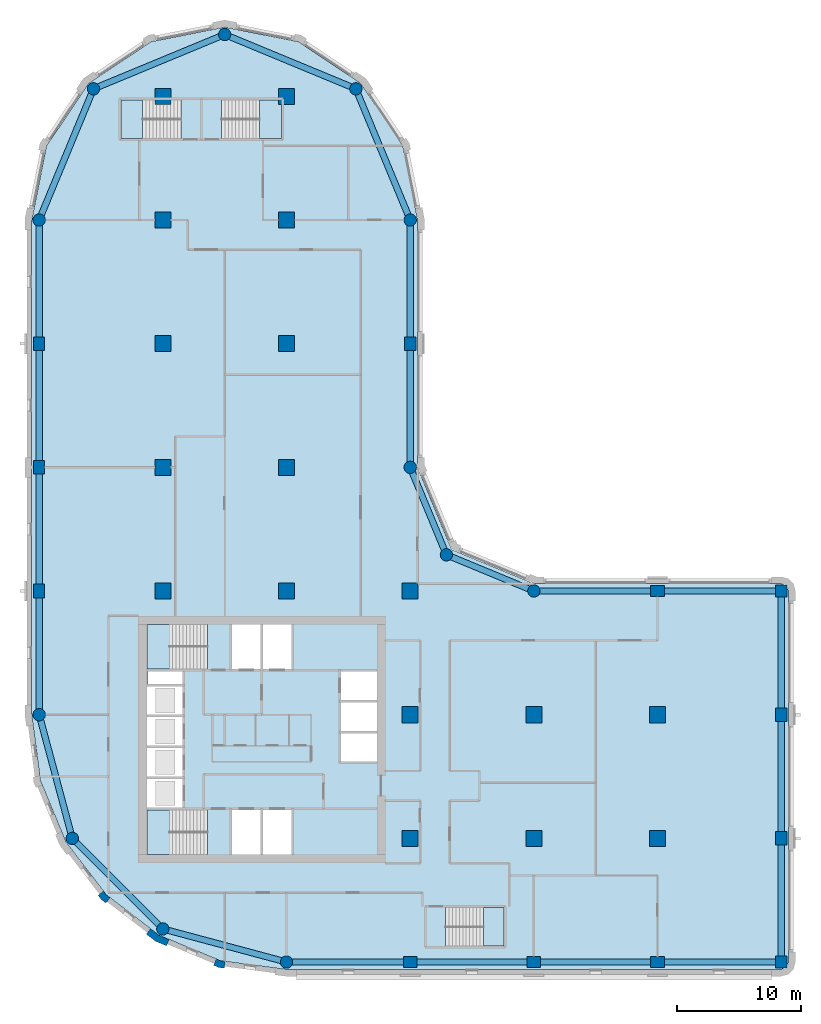
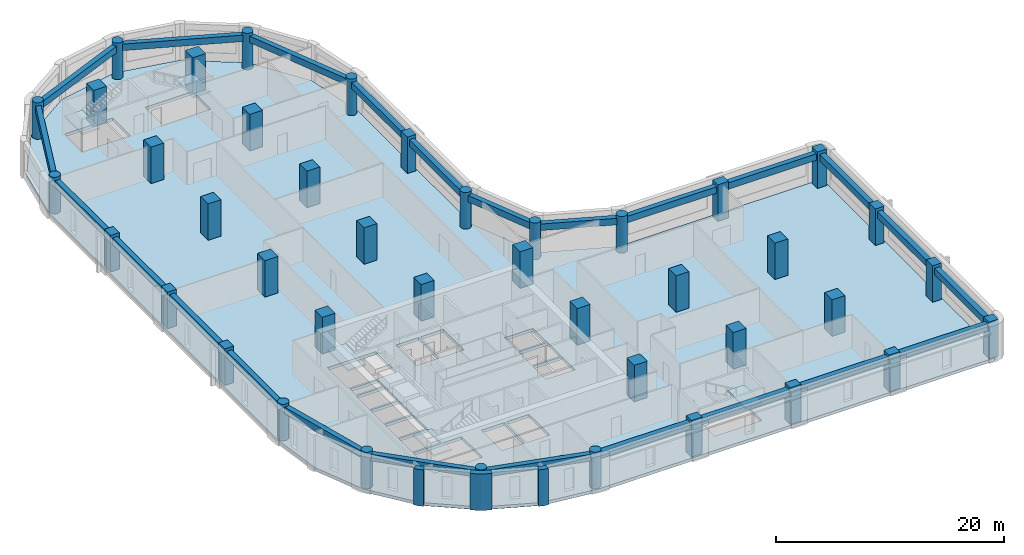
# One storey, part 1 of 9: 41 columns, 24 beams, 6 slabs, 3 walls, 5 elements without a shape of their own.
"""IFC4 building model written with IfcOpenShell, lengths in metres."""

from ifc_helpers import new_model, si_unit, direction, frame, origin, origin_2d, place, context, subcontext, project, spatial, polyline, rectangle, circle, outline, extrude, material, layer, layer_set, material_profile, profile_set, type_object, element, aggregate, save


model = new_model("IFC4")

# Units and contexts
model_context = context("Model", 3, precision=1e-05, world=origin(), true_north=direction((0.0, 1.0)))
body_context = subcontext(model_context, "Body", "Model", "MODEL_VIEW")
ifc_project = project(units=[si_unit("LENGTHUNIT", "METRE"), si_unit("AREAUNIT", "SQUARE_METRE"), si_unit("VOLUMEUNIT", "CUBIC_METRE"), si_unit("PLANEANGLEUNIT", "RADIAN"), si_unit("MASSUNIT", "GRAM", prefix="KILO")], contexts=[model_context])

# Site, building, storey
site_placement = place(None, origin())
site = spatial("IfcSite", under=ifc_project, at=site_placement, CompositionType="ELEMENT")
building_placement = place(site_placement, origin())
building = spatial("IfcBuilding", under=site, at=building_placement, Name="Qaws Garden Tower", CompositionType="ELEMENT")
storey_placement = place(building_placement, frame((0.0, 0.0, 135.60009765625)))
storey = spatial("IfcBuildingStorey", under=building, at=storey_placement, Name="L32", CompositionType="ELEMENT", Elevation=135.60009765625)

# Columns
ifc_material_1 = material(Name="Concrete C70", Category="concrete")
ifc_material_profile_1 = material_profile(ifc_material_1, rectangle(XDim=1.10009765625, YDim=0.89990234375, at=origin_2d()), Name="RC 1100x900")
ifc_profile_set_1 = profile_set([ifc_material_profile_1], Name="Concrete C70")
column_type_1 = type_object("IfcColumnType", Name="Column RC 1100x900 C70", PredefinedType="COLUMN", material=ifc_profile_set_1)
for number, where, z_axis, x_axis, name in (
    (1, (30.0, 0.0, 0.0), (0.0, 0.0, 1.0), (1.0, 0.0, 0.0), "Column L32-002"),
    (2, (40.0, 0.0, 0.0), (0.0, 0.0, 1.0), (1.0, 0.0, 0.0), "Column L32-003"),
    (3, (50.0, 0.0, 0.0), (0.0, 0.0, 1.0), (1.0, 0.0, 0.0), "Column L32-004"),
    (4, (60.0, 10.0, 0.0), (0.0, 0.0, 1.0), (0.0, 1.0, 0.0), "Column L32-006"),
    (5, (60.0, 20.0, 0.0), (0.0, 0.0, 1.0), (0.0, 1.0, 0.0), "Column L32-007"),
    (6, (50.0, 30.0, 0.0), (0.0, 0.0, 1.0), (1.0, 0.0, 0.0), "Column L32-009"),
    (7, (30.0, 50.0, 0.0), (0.0, 0.0, 1.0), (0.0, 1.0, 0.0), "Column L32-013"),
    (8, (0.0, 50.0, 0.0), (0.0, 0.0, 1.0), (0.0, 1.0, 0.0), "Column L32-019"),
    (9, (0.0, 40.0, 0.0), (0.0, 0.0, 1.0), (0.0, 1.0, 0.0), "Column L32-020"),
    (10, (0.0, 30.0, 0.0), (0.0, 0.0, 1.0), (0.0, 1.0, 0.0), "Column L32-021"),
):
    element("IfcColumn", number, at=place(storey_placement, frame(where, z_axis=z_axis, x_axis=x_axis)), inside=storey, type_object=column_type_1, Name=name, PredefinedType="COLUMN", context=body_context, shape_type="SweptSolid", body=[
        extrude(rectangle(XDim=1.10009765625, YDim=0.89990234375, at=origin_2d()), origin(), (0.0, 0.0, 1.0), 3.89990234375),
    ])
ifc_material_2 = material(Name="Concrete C70", Category="concrete")
ifc_material_profile_2 = material_profile(ifc_material_2, rectangle(XDim=1.300048828125, YDim=1.300048828125, at=origin_2d()), Name="RC 1300x1300")
ifc_profile_set_2 = profile_set([ifc_material_profile_2], Name="Concrete C70")
column_type_2 = type_object("IfcColumnType", Name="Column RC 1300x1300 C70", PredefinedType="COLUMN", material=ifc_profile_set_2)
for number, where, z_axis, x_axis, name in (
    (11, (10.0, 30.0, 0.0), (0.0, 0.0, 1.0), (1.0, 0.0, 0.0), "Column L32-025"),
    (12, (10.0, 40.0, 0.0), (0.0, 0.0, 1.0), (1.0, 0.0, 0.0), "Column L32-026"),
    (13, (10.0, 50.0, 0.0), (0.0, 0.0, 1.0), (1.0, 0.0, 0.0), "Column L32-027"),
    (14, (10.0, 60.0, 0.0), (0.0, 0.0, 1.0), (1.0, 0.0, 0.0), "Column L32-028"),
    (15, (10.0, 70.0, 0.0), (0.0, 0.0, 1.0), (1.0, 0.0, 0.0), "Column L32-029"),
    (16, (20.0, 30.0, 0.0), (0.0, 0.0, 1.0), (1.0, 0.0, 0.0), "Column L32-030"),
    (17, (20.0, 40.0, 0.0), (0.0, 0.0, 1.0), (1.0, 0.0, 0.0), "Column L32-031"),
    (18, (20.0, 50.0, 0.0), (0.0, 0.0, 1.0), (1.0, 0.0, 0.0), "Column L32-032"),
    (19, (20.0, 60.0, 0.0), (0.0, 0.0, 1.0), (1.0, 0.0, 0.0), "Column L32-033"),
    (20, (20.0, 70.0, 0.0), (0.0, 0.0, 1.0), (1.0, 0.0, 0.0), "Column L32-034"),
    (21, (30.0, 10.0, 0.0), (0.0, 0.0, 1.0), (1.0, 0.0, 0.0), "Column L32-035"),
    (22, (30.0, 20.0, 0.0), (0.0, 0.0, 1.0), (1.0, 0.0, 0.0), "Column L32-036"),
    (23, (30.0, 30.0, 0.0), (0.0, 0.0, 1.0), (1.0, 0.0, 0.0), "Column L32-037"),
    (24, (40.0, 10.0, 0.0), (0.0, 0.0, 1.0), (1.0, 0.0, 0.0), "Column L32-038"),
    (25, (40.0, 20.0, 0.0), (0.0, 0.0, 1.0), (1.0, 0.0, 0.0), "Column L32-039"),
    (26, (50.0, 10.0, 0.0), (0.0, 0.0, 1.0), (1.0, 0.0, 0.0), "Column L32-040"),
    (27, (50.0, 20.0, 0.0), (0.0, 0.0, 1.0), (1.0, 0.0, 0.0), "Column L32-041"),
):
    element("IfcColumn", number, at=place(storey_placement, frame(where, z_axis=z_axis, x_axis=x_axis)), inside=storey, type_object=column_type_2, Name=name, PredefinedType="COLUMN", context=body_context, shape_type="SweptSolid", body=[
        extrude(rectangle(XDim=1.300048828125, YDim=1.300048828125, at=origin_2d()), origin(), (0.0, 0.0, 1.0), 3.89990234375),
    ])
ifc_material_3 = material(Name="Concrete C70", Category="concrete")
ifc_material_profile_3 = material_profile(ifc_material_3, rectangle(XDim=0.949951171875, YDim=0.949951171875, at=origin_2d()), Name="RC 950x950")
ifc_profile_set_3 = profile_set([ifc_material_profile_3], Name="Concrete C70")
column_type_3 = type_object("IfcColumnType", Name="Column RC 950x950 C70", PredefinedType="COLUMN", material=ifc_profile_set_3)
for number, where, z_axis, x_axis, name in (
    (28, (60.0, 0.0, 0.0), (0.0, 0.0, 1.0), (1.0, 0.0, 0.0), "Column L32-005"),
    (29, (60.0, 30.0, 0.0), (0.0, 0.0, 1.0), (1.0, 0.0, 0.0), "Column L32-008"),
):
    element("IfcColumn", number, at=place(storey_placement, frame(where, z_axis=z_axis, x_axis=x_axis)), inside=storey, type_object=column_type_3, Name=name, PredefinedType="COLUMN", context=body_context, shape_type="SweptSolid", body=[
        extrude(rectangle(XDim=0.949951171875, YDim=0.949951171875, at=origin_2d()), origin(), (0.0, 0.0, 1.0), 3.89990234375),
    ])
ifc_material_4 = material(Name="Concrete C70", Category="concrete")
ifc_material_profile_4 = material_profile(ifc_material_4, circle(Radius=0.5, at=origin_2d()), Name="RC D1000")
ifc_profile_set_4 = profile_set([ifc_material_profile_4], Name="Concrete C70")
column_type_4 = type_object("IfcColumnType", Name="Column RC D1000 C70", PredefinedType="COLUMN", material=ifc_profile_set_4)
for number, where, z_axis, x_axis, name in (
    (30, (20.0, 0.0, 0.0), (0.0, 0.0, 1.0), (1.0, 0.0, 0.0), "Column L32-001"),
    (31, (40.0, 30.0, 0.0), (0.0, 0.0, 1.0), (1.0, 0.0, 0.0), "Column L32-010"),
    (32, (32.928955078125, 32.928955078125, 0.0), (0.0, 0.0, 1.0), (1.0, 0.0, 0.0), "Column L32-011"),
    (33, (30.0, 40.0, 0.0), (0.0, 0.0, 1.0), (1.0, 0.0, 0.0), "Column L32-012"),
    (34, (30.0, 60.0, 0.0), (0.0, 0.0, 1.0), (1.0, 0.0, 0.0), "Column L32-014"),
    (35, (25.606689453125, 70.606689453125, 0.0), (0.0, 0.0, 1.0), (1.0, 0.0, 0.0), "Column L32-015"),
    (36, (15.0, 75.0, 0.0), (0.0, 0.0, 1.0), (1.0, 0.0, 0.0), "Column L32-016"),
    (37, (4.393310546875, 70.606689453125, 0.0), (0.0, 0.0, 1.0), (1.0, 0.0, 0.0), "Column L32-017"),
    (38, (0.0, 60.0, 0.0), (0.0, 0.0, 1.0), (1.0, 0.0, 0.0), "Column L32-018"),
    (39, (0.0, 20.0, 0.0), (0.0, 0.0, 1.0), (1.0, 0.0, 0.0), "Column L32-022"),
    (40, (2.679443359375, 10.0, 0.0), (0.0, 0.0, 1.0), (1.0, 0.0, 0.0), "Column L32-023"),
    (41, (10.0, 2.679443359375, 0.0), (0.0, 0.0, 1.0), (1.0, 0.0, 0.0), "Column L32-024"),
):
    element("IfcColumn", number, at=place(storey_placement, frame(where, z_axis=z_axis, x_axis=x_axis)), inside=storey, type_object=column_type_4, Name=name, PredefinedType="COLUMN", context=body_context, shape_type="SweptSolid", body=[
        extrude(circle(Radius=0.5, at=origin_2d()), origin(), (0.0, 0.0, 1.0), 3.89990234375),
    ])

# Beams
ifc_material_5 = material(Name="Concrete C45", Category="concrete")
ifc_material_profile_5 = material_profile(ifc_material_5, rectangle(XDim=0.5, YDim=0.699951171875, at=origin_2d()), Name="RC 500x700")
ifc_profile_set_5 = profile_set([ifc_material_profile_5], Name="Concrete C45")
beam_type = type_object("IfcBeamType", Name="Spandrel beam RC 500x700 C45", PredefinedType="SPANDREL", material=ifc_profile_set_5)
for number, where, z_axis, x_axis, name in (
    (42, (20.0, 0.0, 3.22998046875), (1.0, 0.0, 0.0), (0.0, 1.0, 0.0), "Spandrel beam L32-001"),
    (43, (30.0, 0.0, 3.22998046875), (1.0, 0.0, 0.0), (0.0, 1.0, 0.0), "Spandrel beam L32-002"),
    (44, (40.0, 0.0, 3.22998046875), (1.0, 0.0, 0.0), (0.0, 1.0, 0.0), "Spandrel beam L32-003"),
    (45, (50.0, 0.0, 3.22998046875), (1.0, 0.0, 0.0), (0.0, 1.0, 0.0), "Spandrel beam L32-004"),
    (46, (60.0, 0.0, 3.22998046875), (0.0, 1.0, 0.0), (-1.0, 0.0, 0.0), "Spandrel beam L32-005"),
    (47, (60.0, 10.0, 3.22998046875), (0.0, 1.0, 0.0), (-1.0, 0.0, 0.0), "Spandrel beam L32-006"),
    (48, (60.0, 20.0, 3.22998046875), (0.0, 1.0, 0.0), (-1.0, 0.0, 0.0), "Spandrel beam L32-007"),
    (49, (60.0, 30.0, 3.22998046875), (-1.0, 0.0, 0.0), (0.0, -1.0, 0.0), "Spandrel beam L32-008"),
    (50, (50.0, 30.0, 3.22998046875), (-1.0, 0.0, 0.0), (0.0, -1.0, 0.0), "Spandrel beam L32-009"),
):
    element("IfcBeam", number, at=place(storey_placement, frame(where, z_axis=z_axis, x_axis=x_axis)), inside=storey, type_object=beam_type, Name=name, PredefinedType="SPANDREL", context=body_context, shape_type="SweptSolid", body=[
        extrude(rectangle(XDim=0.5, YDim=0.699951171875, at=origin_2d()), origin(), (0.0, 0.0, 1.0), 10.0),
    ])
for number, where, z_axis, x_axis, name in (
    (51, (40.0, 30.0, 3.22998046875), (-0.923878037141, 0.382687042488, 0.0), (-0.382687042488, -0.923878037141, 0.0), "Spandrel beam L32-010"),
    (52, (32.928955078125, 32.928955078125, 3.22998046875), (-0.382687042488, 0.923878037141, 0.0), (-0.923878037141, -0.382687042488, 0.0), "Spandrel beam L32-011"),
):
    element("IfcBeam", number, at=place(storey_placement, frame(where, z_axis=z_axis, x_axis=x_axis)), inside=storey, type_object=beam_type, Name=name, PredefinedType="SPANDREL", context=body_context, shape_type="SweptSolid", body=[
        extrude(rectangle(XDim=0.5, YDim=0.699951171875, at=origin_2d()), origin(), (0.0, 0.0, 1.0), 7.653564453125),
    ])
for number, where, z_axis, x_axis, name in (
    (53, (30.0, 40.0, 3.22998046875), (0.0, 1.0, 0.0), (-1.0, 0.0, 0.0), "Spandrel beam L32-012"),
    (54, (30.0, 50.0, 3.22998046875), (0.0, 1.0, 0.0), (-1.0, 0.0, 0.0), "Spandrel beam L32-013"),
):
    element("IfcBeam", number, at=place(storey_placement, frame(where, z_axis=z_axis, x_axis=x_axis)), inside=storey, type_object=beam_type, Name=name, PredefinedType="SPANDREL", context=body_context, shape_type="SweptSolid", body=[
        extrude(rectangle(XDim=0.5, YDim=0.699951171875, at=origin_2d()), origin(), (0.0, 0.0, 1.0), 10.0),
    ])
for number, where, z_axis, x_axis, name in (
    (55, (30.0, 60.0, 3.22998046875), (-0.382674207535, 0.923883353507, 0.0), (-0.923883353507, -0.382674207535, 0.0), "Spandrel beam L32-014"),
    (56, (25.606689453125, 70.606689453125, 3.22998046875), (-0.923883353507, 0.382674207535, 0.0), (-0.382674207535, -0.923883353507, 0.0), "Spandrel beam L32-015"),
    (57, (15.0, 75.0, 3.22998046875), (-0.923883353507, -0.382674207535, 0.0), (0.382674207535, -0.923883353507, 0.0), "Spandrel beam L32-016"),
    (58, (4.393310546875, 70.606689453125, 3.22998046875), (-0.382674207535, -0.923883353507, 0.0), (0.923883353507, -0.382674207535, 0.0), "Spandrel beam L32-017"),
):
    element("IfcBeam", number, at=place(storey_placement, frame(where, z_axis=z_axis, x_axis=x_axis)), inside=storey, type_object=beam_type, Name=name, PredefinedType="SPANDREL", context=body_context, shape_type="SweptSolid", body=[
        extrude(rectangle(XDim=0.5, YDim=0.699951171875, at=origin_2d()), origin(), (0.0, 0.0, 1.0), 11.48046875),
    ])
for number, where, z_axis, x_axis, name in (
    (59, (0.0, 60.0, 3.22998046875), (0.0, -1.0, 0.0), (1.0, 0.0, 0.0), "Spandrel beam L32-018"),
    (60, (0.0, 50.0, 3.22998046875), (0.0, -1.0, 0.0), (1.0, 0.0, 0.0), "Spandrel beam L32-019"),
    (61, (0.0, 40.0, 3.22998046875), (0.0, -1.0, 0.0), (1.0, 0.0, 0.0), "Spandrel beam L32-020"),
    (62, (0.0, 30.0, 3.22998046875), (0.0, -1.0, 0.0), (1.0, 0.0, 0.0), "Spandrel beam L32-021"),
):
    element("IfcBeam", number, at=place(storey_placement, frame(where, z_axis=z_axis, x_axis=x_axis)), inside=storey, type_object=beam_type, Name=name, PredefinedType="SPANDREL", context=body_context, shape_type="SweptSolid", body=[
        extrude(rectangle(XDim=0.5, YDim=0.699951171875, at=origin_2d()), origin(), (0.0, 0.0, 1.0), 10.0),
    ])
for number, where, z_axis, x_axis, name in (
    (63, (0.0, 20.0, 3.22998046875), (0.25881466832, -0.965926999034, 0.0), (0.965926999034, 0.25881466832, 0.0), "Spandrel beam L32-022"),
    (64, (2.679443359375, 10.0, 3.22998046875), (0.707106781187, -0.707106781187, 0.0), (0.707106781187, 0.707106781187, 0.0), "Spandrel beam L32-023"),
    (65, (10.0, 2.679443359375, 3.22998046875), (0.965926999034, -0.25881466832, 0.0), (0.25881466832, 0.965926999034, 0.0), "Spandrel beam L32-024"),
):
    element("IfcBeam", number, at=place(storey_placement, frame(where, z_axis=z_axis, x_axis=x_axis)), inside=storey, type_object=beam_type, Name=name, PredefinedType="SPANDREL", context=body_context, shape_type="SweptSolid", body=[
        extrude(rectangle(XDim=0.5, YDim=0.699951171875, at=origin_2d()), origin(), (0.0, 0.0, 1.0), 10.352783203125),
    ])

# Slab
ifc_material_6 = material(Name="Concrete C40", Category="concrete")
ifc_layer_1 = layer(ifc_material_6, 0.320068359375)
ifc_layer_set_1 = layer_set([ifc_layer_1], Name="Concrete C40")
slab_type_1 = type_object("IfcSlabType", Name="Floor slab 320 C40", PredefinedType="FLOOR", material=ifc_layer_set_1)
slab_1_placement = place(storey_placement, frame((0.0, 0.0, -0.320068359375)))
element("IfcSlab", 66, at=slab_1_placement, inside=storey, type_object=slab_type_1, Name="Floor slab L32", PredefinedType="FLOOR", context=body_context, shape_type="SweptSolid", body=[
    extrude(outline(polyline([(0.101806640625, 14.668212890625), (-0.60009765625, 20.0), (-0.60009765625, 30.60009765625), (-0.60009765625, 60.0), (-0.60009765625, 60.0), (0.58740234375, 65.969970703125), (3.968994140625, 71.031005859375), (9.030029296875, 74.41259765625), (15.0, 75.60009765625), (20.969970703125, 74.41259765625), (26.031005859375, 71.031005859375), (29.41259765625, 65.969970703125), (30.60009765625, 60.0), (30.60009765625, 40.0), (33.353271484375, 33.353271484375), (40.0, 30.60009765625), (60.0, 30.60009765625), (60.42431640625, 30.42431640625), (60.60009765625, 30.0), (60.60009765625, 0.0), (60.42431640625, -0.42431640625), (60.0, -0.60009765625), (30.60009765625, -0.60009765625), (20.0, -0.60009765625), (14.668212890625, 0.101806640625), (9.699951171875, 2.159912109375), (5.43359375, 5.43359375), (2.159912109375, 9.699951171875), (0.101806640625, 14.668212890625)]), holes=[polyline([(13.599609375, 12.300048828125), (8.699951171875, 12.300048828125), (8.699951171875, 8.699951171875), (13.599609375, 8.699951171875), (13.599609375, 12.300048828125)]), polyline([(17.89990234375, 12.300048828125), (15.60009765625, 12.300048828125), (15.60009765625, 8.699951171875), (17.89990234375, 8.699951171875), (17.89990234375, 12.300048828125)]), polyline([(11.60009765625, 14.800048828125), (8.699951171875, 14.800048828125), (8.699951171875, 12.5), (11.60009765625, 12.5), (11.60009765625, 14.800048828125)]), polyline([(11.60009765625, 17.300048828125), (8.699951171875, 17.300048828125), (8.699951171875, 15.0), (11.60009765625, 15.0), (11.60009765625, 17.300048828125)]), polyline([(11.60009765625, 19.800048828125), (8.699951171875, 19.800048828125), (8.699951171875, 17.5), (11.60009765625, 17.5), (11.60009765625, 19.800048828125)]), polyline([(11.60009765625, 22.300048828125), (8.699951171875, 22.300048828125), (8.699951171875, 20.0), (11.60009765625, 20.0), (11.60009765625, 22.300048828125)]), polyline([(11.60009765625, 23.5), (8.800048828125, 23.5), (8.800048828125, 22.5), (11.60009765625, 22.5), (11.60009765625, 23.5)]), polyline([(13.599609375, 27.300048828125), (8.699951171875, 27.300048828125), (8.699951171875, 23.699951171875), (13.599609375, 23.699951171875), (13.599609375, 27.300048828125)]), polyline([(11.449462890625, 69.699951171875), (6.60009765625, 69.699951171875), (6.60009765625, 66.60009765625), (11.449462890625, 66.60009765625), (11.449462890625, 69.699951171875)]), polyline([(37.60009765625, 4.39990234375), (32.8505859375, 4.39990234375), (32.8505859375, 1.300048828125), (37.60009765625, 1.300048828125), (37.60009765625, 4.39990234375)]), polyline([(20.39990234375, 12.300048828125), (18.10009765625, 12.300048828125), (18.10009765625, 8.699951171875), (20.39990234375, 8.699951171875), (20.39990234375, 12.300048828125)]), polyline([(27.300048828125, 18.5), (24.39990234375, 18.5), (24.39990234375, 16.199951171875), (27.300048828125, 16.199951171875), (27.300048828125, 18.5)]), polyline([(27.300048828125, 21.0), (24.39990234375, 21.0), (24.39990234375, 18.699951171875), (27.300048828125, 18.699951171875), (27.300048828125, 21.0)]), polyline([(27.300048828125, 23.5), (24.39990234375, 23.5), (24.39990234375, 21.199951171875), (27.300048828125, 21.199951171875), (27.300048828125, 23.5)]), polyline([(17.89990234375, 27.300048828125), (15.60009765625, 27.300048828125), (15.60009765625, 23.699951171875), (17.89990234375, 23.699951171875), (17.89990234375, 27.300048828125)]), polyline([(20.39990234375, 23.699951171875), (20.39990234375, 27.300048828125), (18.10009765625, 27.300048828125), (18.10009765625, 23.699951171875), (20.39990234375, 23.699951171875)]), polyline([(19.60009765625, 66.60009765625), (19.60009765625, 69.699951171875), (14.75048828125, 69.699951171875), (14.75048828125, 66.60009765625), (19.60009765625, 66.60009765625)])]), origin(), (0.0, 0.0, 1.0), 0.320068359375),
])

# Stair, slab
ifc_material_7 = material(Name="Concrete C40", Category="concrete")
stair_type_1 = type_object("IfcStairType", Name="Exit stair 1500", PredefinedType="HALF_TURN_STAIR", material=ifc_material_7)
placement_1 = place(storey_placement, origin())
stair_1 = element("IfcStair", 67, at=placement_1, inside=storey, type_object=stair_type_1, Name="Stair 1", PredefinedType="HALF_TURN_STAIR")
ifc_material_8 = material(Name="Concrete C40", Category="concrete")
ifc_layer_2 = layer(ifc_material_8, 0.199951171875)
ifc_layer_set_2 = layer_set([ifc_layer_2], Name="Concrete C40")
slab_type_2 = type_object("IfcSlabType", Name="Stair landing 200", PredefinedType="LANDING", material=ifc_layer_set_2)
placement_2 = place(storey_placement, frame((0.0, 0.0, 1.75)))
slab_2 = element("IfcSlab", 68, at=placement_2, type_object=slab_type_2, Name="ST1 landing 1", PredefinedType="LANDING", context=body_context, shape_type="SweptSolid", body=[
    extrude(outline(polyline([(8.699951171875, 8.699951171875), (10.52001953125, 8.699951171875), (10.52001953125, 12.300048828125), (8.699951171875, 12.300048828125), (8.699951171875, 8.699951171875)])), origin(), (0.0, 0.0, 1.0), 0.199951171875),
])
aggregate(stair_1, [slab_2])

stair_2 = element("IfcStair", 69, at=placement_1, inside=storey, type_object=stair_type_1, Name="Stair 4", PredefinedType="HALF_TURN_STAIR")
slab_3 = element("IfcSlab", 70, at=placement_2, type_object=slab_type_2, Name="ST4 landing 1", PredefinedType="LANDING", context=body_context, shape_type="SweptSolid", body=[
    extrude(outline(polyline([(8.699951171875, 23.699951171875), (10.52001953125, 23.699951171875), (10.52001953125, 27.300048828125), (8.699951171875, 27.300048828125), (8.699951171875, 23.699951171875)])), origin(), (0.0, 0.0, 1.0), 0.199951171875),
])
aggregate(stair_2, [slab_3])

ifc_material_9 = material(Name="Concrete C40", Category="concrete")
stair_type_2 = type_object("IfcStairType", Name="Exit stair 1350", PredefinedType="HALF_TURN_STAIR", material=ifc_material_9)
stair_3 = element("IfcStair", 71, at=placement_1, inside=storey, type_object=stair_type_2, Name="Stair 5", PredefinedType="HALF_TURN_STAIR")
slab_4 = element("IfcSlab", 72, at=placement_2, type_object=slab_type_2, Name="ST5 landing 1", PredefinedType="LANDING", context=body_context, shape_type="SweptSolid", body=[
    extrude(outline(polyline([(35.929931640625, 1.300048828125), (37.60009765625, 1.300048828125), (37.60009765625, 4.39990234375), (35.929931640625, 4.39990234375), (35.929931640625, 1.300048828125)])), origin(), (0.0, 0.0, 1.0), 0.199951171875),
])
aggregate(stair_3, [slab_4])

stair_4 = element("IfcStair", 73, at=placement_1, inside=storey, type_object=stair_type_2, Name="Stair 6", PredefinedType="HALF_TURN_STAIR")
slab_5 = element("IfcSlab", 74, at=placement_2, type_object=slab_type_2, Name="ST6 landing 1", PredefinedType="LANDING", context=body_context, shape_type="SweptSolid", body=[
    extrude(outline(polyline([(6.60009765625, 66.60009765625), (8.3701171875, 66.60009765625), (8.3701171875, 69.699951171875), (6.60009765625, 69.699951171875), (6.60009765625, 66.60009765625)])), origin(), (0.0, 0.0, 1.0), 0.199951171875),
])
aggregate(stair_4, [slab_5])

stair_5 = element("IfcStair", 75, at=placement_1, inside=storey, type_object=stair_type_2, Name="Stair 7", PredefinedType="HALF_TURN_STAIR")
slab_6 = element("IfcSlab", 76, at=placement_2, type_object=slab_type_2, Name="ST7 landing 1", PredefinedType="LANDING", context=body_context, shape_type="SweptSolid", body=[
    extrude(outline(polyline([(17.830078125, 66.60009765625), (19.60009765625, 66.60009765625), (19.60009765625, 69.699951171875), (17.830078125, 69.699951171875), (17.830078125, 66.60009765625)])), origin(), (0.0, 0.0, 1.0), 0.199951171875),
])
aggregate(stair_5, [slab_6])

# Walls
ifc_material_10 = material(Name="Clay facing brick masonry", Category="masonry")
ifc_layer_3 = layer(ifc_material_10, 0.550048828125)
ifc_layer_set_3 = layer_set([ifc_layer_3], Name="Clay facing brick masonry")
wall_type_1 = type_object("IfcWallType", Name="Brick kink pier 550 x 600", PredefinedType="SOLIDWALL", material=ifc_layer_set_3)
element("IfcWall", 77, at=placement_1, inside=storey, type_object=wall_type_1, Name="E-L32-pier-28", PredefinedType="SOLIDWALL", context=body_context, shape_type="SweptSolid", body=[
    extrude(outline(polyline([(4.8818359375, 5.487060546875), (4.762939453125, 5.395751953125), (5.03759765625, 5.03759765625), (5.395751953125, 4.762939453125), (5.487060546875, 4.8818359375), (5.730712890625, 5.19921875), (5.429931640625, 5.429931640625), (5.19921875, 5.730712890625), (4.8818359375, 5.487060546875)])), origin(), (0.0, 0.0, 1.0), 3.89990234375),
])
element("IfcWall", 78, at=placement_1, inside=storey, type_object=wall_type_1, Name="E-L32-pier-30", PredefinedType="SOLIDWALL", context=body_context, shape_type="SweptSolid", body=[
    extrude(outline(polyline([(14.163818359375, -0.127685546875), (14.1064453125, -0.26611328125), (14.5234375, -0.43896484375), (14.970947265625, -0.497802734375), (14.990478515625, -0.34912109375), (15.042724609375, 0.04736328125), (14.6669921875, 0.096923828125), (14.31689453125, 0.241943359375), (14.163818359375, -0.127685546875)])), origin(), (0.0, 0.0, 1.0), 3.89990234375),
])
ifc_material_11 = material(Name="Clay facing brick masonry", Category="masonry")
ifc_layer_4 = layer(ifc_material_11, 0.550048828125)
ifc_layer_set_4 = layer_set([ifc_layer_4], Name="Clay facing brick masonry")
wall_type_2 = type_object("IfcWallType", Name="Brick pier 550 x 1600", PredefinedType="SOLIDWALL", material=ifc_layer_set_4)
element("IfcWall", 79, at=placement_1, inside=storey, type_object=wall_type_2, Name="E-L32-pier-29", PredefinedType="SOLIDWALL", context=body_context, shape_type="SweptSolid", body=[
    extrude(outline(polyline([(8.756591796875, 2.373046875), (8.665283203125, 2.254150390625), (9.419921875, 1.675048828125), (10.299072265625, 1.310791015625), (10.3564453125, 1.449462890625), (10.509521484375, 1.819091796875), (9.697509765625, 2.1552734375), (9.0, 2.6904296875), (8.756591796875, 2.373046875)])), origin(), (0.0, 0.0, 1.0), 3.89990234375),
])

save(model, "model.ifc")
